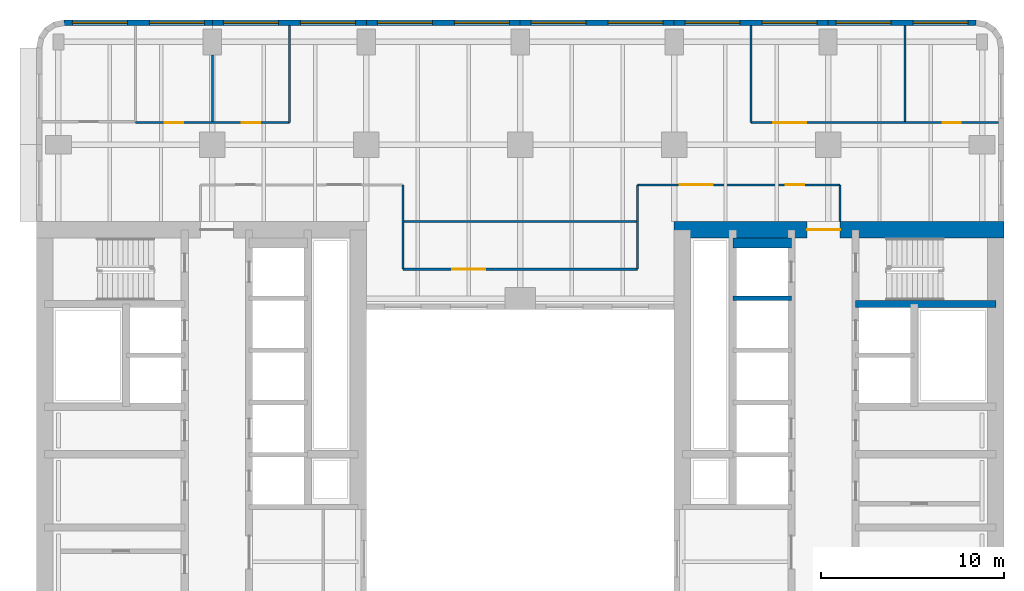
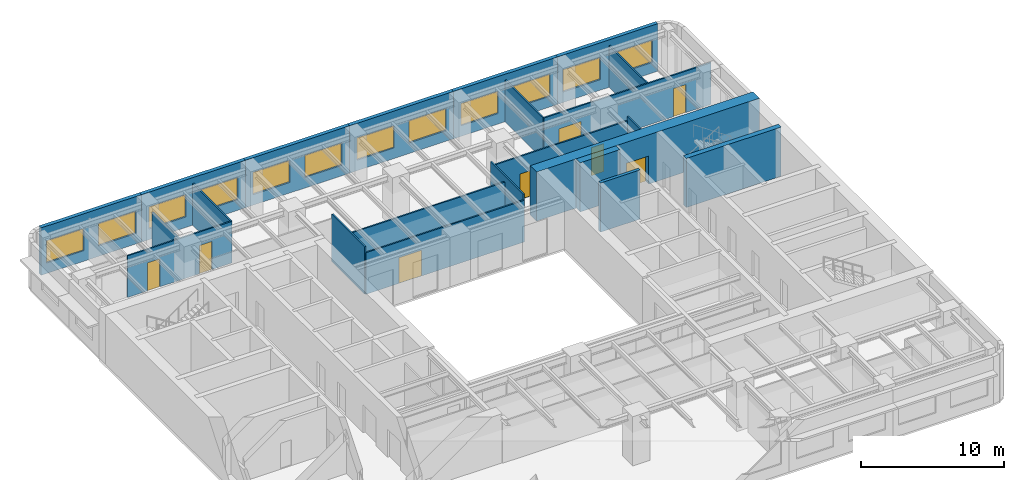
# One storey, part 7 of 11: 22 walls, 12 windows, 8 doors, 20 openings.
"""IFC4 building model written with IfcOpenShell, lengths in metres."""

from ifc_helpers import new_model, si_unit, direction, frame, frame_2d, origin, place, context, subcontext, project, spatial, rectangle, extrude, material, layer, layer_set, type_object, element, fill, save


model = new_model("IFC4")

# Units and contexts
model_context = context("Model", 3, precision=1e-05, world=origin(), true_north=direction((0.0, 1.0)))
body_context = subcontext(model_context, "Body", "Model", "MODEL_VIEW")
ifc_project = project(units=[si_unit("LENGTHUNIT", "METRE"), si_unit("AREAUNIT", "SQUARE_METRE"), si_unit("VOLUMEUNIT", "CUBIC_METRE"), si_unit("PLANEANGLEUNIT", "RADIAN"), si_unit("MASSUNIT", "GRAM", prefix="KILO")], contexts=[model_context])

# Site, building, storey
site_placement = place(None, origin())
site = spatial("IfcSite", under=ifc_project, at=site_placement, CompositionType="ELEMENT")
building_placement = place(site_placement, origin())
building = spatial("IfcBuilding", under=site, at=building_placement, Name="Claustro Exchange Tower", CompositionType="ELEMENT")
storey_placement = place(building_placement, frame((0.0, 0.0, 109.199951171875)))
storey = spatial("IfcBuildingStorey", under=building, at=storey_placement, Name="L24", CompositionType="ELEMENT", Elevation=109.199951171875)

# Wall, openings, doors
ifc_material_1 = material(Name="Laminated glass in aluminium frame", Category="aluminium")
ifc_layer_1 = layer(ifc_material_1, 0.1201171875)
ifc_layer_set_1 = layer_set([ifc_layer_1], Name="Laminated glass in aluminium frame")
wall_type_1 = type_object("IfcWallType", Name="P2 120 glazed partition", PredefinedType="PARTITIONING", material=ifc_layer_set_1)
wall_1_placement = place(storey_placement, frame((4.197998046875, 43.199951171875, 0.0), z_axis=(0.0, 0.0, 1.0), x_axis=(1.0, 0.0, 0.0)))
wall_1 = element("IfcWall", 1, at=wall_1_placement, inside=storey, type_object=wall_type_1, Name="Partition P2 L24", PredefinedType="PARTITIONING", context=body_context, shape_type="SweptSolid", body=[
    extrude(rectangle(XDim=8.402099609375, YDim=0.1201171875, at=frame_2d((4.201171875, 0.0))), origin(), (0.0, 0.0, 1.0), 3.550048828125),
])
opening_1_placement = place(wall_1_placement, frame((1.60205078125, 0.0, 0.0)))
opening_1 = element("IfcOpeningElement", 2, at=opening_1_placement, cuts=wall_1, Name="Opening D7", PredefinedType="OPENING", context=body_context, shape_type="SweptSolid", body=[
    extrude(rectangle(XDim=1.0, YDim=2.39990234375, at=frame_2d((0.5, 1.199951171875))), frame((0.0, 0.070068359375, 0.0), z_axis=(0.0, -1.0, 0.0), x_axis=(1.0, 0.0, 0.0)), (0.0, 0.0, 1.0), 0.14013671875),
])
opening_2_placement = place(wall_1_placement, frame((5.802001953125, 0.0, 0.0)))
opening_2 = element("IfcOpeningElement", 3, at=opening_2_placement, cuts=wall_1, Name="Opening D7", PredefinedType="OPENING", context=body_context, shape_type="SweptSolid", body=[
    extrude(rectangle(XDim=1.0, YDim=2.39990234375, at=frame_2d((0.5, 1.199951171875))), frame((0.0, 0.070068359375, 0.0), z_axis=(0.0, -1.0, 0.0), x_axis=(1.0, 0.0, 0.0)), (0.0, 0.0, 1.0), 0.14013671875),
])
ifc_material_2 = material(Name="Glass door in aluminium frame", Category="aluminium")
door_type_1 = type_object("IfcDoorType", Name="D7 1000 x 2400 glazed door", OperationType="SINGLE_SWING_LEFT", PredefinedType="DOOR", material=ifc_material_2)
door_1_placement = place(opening_1_placement, origin())
door_1 = element("IfcDoor", 4, at=door_1_placement, inside=storey, type_object=door_type_1, Name="Door D7 L24", OperationType="SINGLE_SWING_RIGHT", OverallHeight=2.39990234375, OverallWidth=1.0, PredefinedType="DOOR", context=body_context, shape_type="SweptSolid", body=[
    extrude(rectangle(XDim=1.0, YDim=2.39990234375, at=frame_2d((0.5, 1.199951171875))), frame((0.0, 0.02490234375, 0.0), z_axis=(0.0, -1.0, 0.0), x_axis=(1.0, 0.0, 0.0)), (0.0, 0.0, 1.0), 0.050048828125),
])
fill(opening_1, door_1)
door_2_placement = place(opening_2_placement, origin())
door_2 = element("IfcDoor", 5, at=door_2_placement, inside=storey, type_object=door_type_1, Name="Door D7 L24", OperationType="SINGLE_SWING_LEFT", OverallHeight=2.39990234375, OverallWidth=1.0, PredefinedType="DOOR", context=body_context, shape_type="SweptSolid", body=[
    extrude(rectangle(XDim=1.0, YDim=2.39990234375, at=frame_2d((0.5, 1.199951171875))), frame((0.0, 0.02490234375, 0.0), z_axis=(0.0, -1.0, 0.0), x_axis=(1.0, 0.0, 0.0)), (0.0, 0.0, 1.0), 0.050048828125),
])
fill(opening_2, door_2)

# Walls
wall_2_placement = place(storey_placement, frame((8.39990234375, 43.258056640625, 0.0), z_axis=(0.0, 0.0, 1.0), x_axis=(0.0, 1.0, 0.0)))
element("IfcWall", 6, at=wall_2_placement, inside=storey, type_object=wall_type_1, Name="Partition P2 L24", PredefinedType="PARTITIONING", context=body_context, shape_type="SweptSolid", body=[
    extrude(rectangle(XDim=3.642822265625, YDim=0.1201171875, at=frame_2d((1.8212890625, 0.0))), origin(), (0.0, 0.0, 1.0), 3.550048828125),
])
wall_3_placement = place(storey_placement, frame((12.60009765625, 43.199951171875, 0.0), z_axis=(0.0, 0.0, 1.0), x_axis=(0.0, 1.0, 0.0)))
element("IfcWall", 7, at=wall_3_placement, inside=storey, type_object=wall_type_1, Name="Partition P2 L24", PredefinedType="PARTITIONING", context=body_context, shape_type="SweptSolid", body=[
    extrude(rectangle(XDim=5.302001953125, YDim=0.1201171875, at=frame_2d((2.65087890625, 0.0))), origin(), (0.0, 0.0, 1.0), 3.56005859375),
])

# Wall, openings, doors
wall_4_placement = place(storey_placement, frame((37.800048828125, 43.199951171875, 0.0), z_axis=(0.0, 0.0, 1.0), x_axis=(1.0, 0.0, 0.0)))
wall_4 = element("IfcWall", 8, at=wall_4_placement, inside=storey, type_object=wall_type_1, Name="Partition P2 L24", PredefinedType="PARTITIONING", context=body_context, shape_type="SweptSolid", body=[
    extrude(rectangle(XDim=13.501953125, YDim=0.1201171875, at=frame_2d((6.7509765625, 0.0))), origin(), (0.0, 0.0, 1.0), 3.550048828125),
])
opening_3_placement = place(wall_4_placement, frame((1.199951171875, 0.0, 0.0)))
opening_3 = element("IfcOpeningElement", 9, at=opening_3_placement, cuts=wall_4, Name="Opening D2", PredefinedType="OPENING", context=body_context, shape_type="SweptSolid", body=[
    extrude(rectangle(XDim=1.800048828125, YDim=2.199951171875, at=frame_2d((0.89990234375, 1.10009765625))), frame((0.0, 0.070068359375, 0.0), z_axis=(0.0, -1.0, 0.0), x_axis=(1.0, 0.0, 0.0)), (0.0, 0.0, 1.0), 0.14013671875),
])
opening_4_placement = place(wall_4_placement, frame((10.449951171875, 0.0, 0.0)))
opening_4 = element("IfcOpeningElement", 10, at=opening_4_placement, cuts=wall_4, Name="Opening D7", PredefinedType="OPENING", context=body_context, shape_type="SweptSolid", body=[
    extrude(rectangle(XDim=1.0, YDim=2.39990234375, at=frame_2d((0.5, 1.199951171875))), frame((0.0, 0.070068359375, 0.0), z_axis=(0.0, -1.0, 0.0), x_axis=(1.0, 0.0, 0.0)), (0.0, 0.0, 1.0), 0.14013671875),
])
ifc_material_3 = material(Name="Timber door, oak veneer", Category="wood")
door_type_2 = type_object("IfcDoorType", Name="D2 1800 x 2200 double door", OperationType="DOUBLE_DOOR_SINGLE_SWING", PredefinedType="DOOR", material=ifc_material_3)
door_3_placement = place(opening_3_placement, origin())
door_3 = element("IfcDoor", 11, at=door_3_placement, inside=storey, type_object=door_type_2, Name="Double door D2 L24", OperationType="DOUBLE_DOOR_SINGLE_SWING", OverallHeight=2.199951171875, OverallWidth=1.800048828125, PredefinedType="DOOR", context=body_context, shape_type="SweptSolid", body=[
    extrude(rectangle(XDim=1.800048828125, YDim=2.199951171875, at=frame_2d((0.89990234375, 1.10009765625))), frame((0.0, 0.02490234375, 0.0), z_axis=(0.0, -1.0, 0.0), x_axis=(1.0, 0.0, 0.0)), (0.0, 0.0, 1.0), 0.050048828125),
])
fill(opening_3, door_3)
door_4_placement = place(opening_4_placement, origin())
door_4 = element("IfcDoor", 12, at=door_4_placement, inside=storey, type_object=door_type_1, Name="Door D7 L24", OperationType="SINGLE_SWING_LEFT", OverallHeight=2.39990234375, OverallWidth=1.0, PredefinedType="DOOR", context=body_context, shape_type="SweptSolid", body=[
    extrude(rectangle(XDim=1.0, YDim=2.39990234375, at=frame_2d((0.5, 1.199951171875))), frame((0.0, 0.02490234375, 0.0), z_axis=(0.0, -1.0, 0.0), x_axis=(1.0, 0.0, 0.0)), (0.0, 0.0, 1.0), 0.050048828125),
])
fill(opening_4, door_4)

# Walls
wall_5_placement = place(storey_placement, frame((37.800048828125, 43.199951171875, 0.0), z_axis=(0.0, 0.0, 1.0), x_axis=(0.0, 1.0, 0.0)))
element("IfcWall", 13, at=wall_5_placement, inside=storey, type_object=wall_type_1, Name="Partition P2 L24", PredefinedType="PARTITIONING", context=body_context, shape_type="SweptSolid", body=[
    extrude(rectangle(XDim=5.302001953125, YDim=0.1201171875, at=frame_2d((2.65087890625, 0.0))), origin(), (0.0, 0.0, 1.0), 3.56005859375),
])
wall_6_placement = place(storey_placement, frame((46.199951171875, 43.258056640625, 0.0), z_axis=(0.0, 0.0, 1.0), x_axis=(0.0, 1.0, 0.0)))
element("IfcWall", 14, at=wall_6_placement, inside=storey, type_object=wall_type_1, Name="Partition P2 L24", PredefinedType="PARTITIONING", context=body_context, shape_type="SweptSolid", body=[
    extrude(rectangle(XDim=5.243896484375, YDim=0.1201171875, at=frame_2d((2.6220703125, 0.0))), origin(), (0.0, 0.0, 1.0), 3.56005859375),
])

# Wall, openings, doors
wall_7_placement = place(storey_placement, frame((31.60009765625, 39.800048828125, 0.0), z_axis=(0.0, 0.0, 1.0), x_axis=(1.0, 0.0, 0.0)))
wall_7 = element("IfcWall", 15, at=wall_7_placement, inside=storey, type_object=wall_type_1, Name="Partition P2 L24", PredefinedType="PARTITIONING", context=body_context, shape_type="SweptSolid", body=[
    extrude(rectangle(XDim=11.0498046875, YDim=0.1201171875, at=frame_2d((5.52490234375, 0.0))), origin(), (0.0, 0.0, 1.0), 3.68994140625),
])
opening_5_placement = place(wall_7_placement, frame((2.300048828125, 0.0, 0.0)))
opening_5 = element("IfcOpeningElement", 16, at=opening_5_placement, cuts=wall_7, Name="Opening D2", PredefinedType="OPENING", context=body_context, shape_type="SweptSolid", body=[
    extrude(rectangle(XDim=1.800048828125, YDim=2.199951171875, at=frame_2d((0.89990234375, 1.10009765625))), frame((0.0, 0.070068359375, 0.0), z_axis=(0.0, -1.0, 0.0), x_axis=(1.0, 0.0, 0.0)), (0.0, 0.0, 1.0), 0.14013671875),
])
opening_6_placement = place(wall_7_placement, frame((8.10009765625, 0.0, 0.0)))
opening_6 = element("IfcOpeningElement", 17, at=opening_6_placement, cuts=wall_7, Name="Opening D7", PredefinedType="OPENING", context=body_context, shape_type="SweptSolid", body=[
    extrude(rectangle(XDim=1.0, YDim=2.39990234375, at=frame_2d((0.5, 1.199951171875))), frame((0.0, 0.070068359375, 0.0), z_axis=(0.0, -1.0, 0.0), x_axis=(1.0, 0.0, 0.0)), (0.0, 0.0, 1.0), 0.14013671875),
])
door_5_placement = place(opening_5_placement, origin())
door_5 = element("IfcDoor", 18, at=door_5_placement, inside=storey, type_object=door_type_2, Name="Double door D2 L24", OperationType="DOUBLE_DOOR_SINGLE_SWING", OverallHeight=2.199951171875, OverallWidth=1.800048828125, PredefinedType="DOOR", context=body_context, shape_type="SweptSolid", body=[
    extrude(rectangle(XDim=1.800048828125, YDim=2.199951171875, at=frame_2d((0.89990234375, 1.10009765625))), frame((0.0, 0.02490234375, 0.0), z_axis=(0.0, -1.0, 0.0), x_axis=(1.0, 0.0, 0.0)), (0.0, 0.0, 1.0), 0.050048828125),
])
fill(opening_5, door_5)
door_6_placement = place(opening_6_placement, origin())
door_6 = element("IfcDoor", 19, at=door_6_placement, inside=storey, type_object=door_type_1, Name="Door D7 L24", OperationType="SINGLE_SWING_RIGHT", OverallHeight=2.39990234375, OverallWidth=1.0, PredefinedType="DOOR", context=body_context, shape_type="SweptSolid", body=[
    extrude(rectangle(XDim=1.0, YDim=2.39990234375, at=frame_2d((0.5, 1.199951171875))), frame((0.0, 0.02490234375, 0.0), z_axis=(0.0, -1.0, 0.0), x_axis=(1.0, 0.0, 0.0)), (0.0, 0.0, 1.0), 0.050048828125),
])
fill(opening_6, door_6)

# Walls
wall_8_placement = place(storey_placement, frame((42.64990234375, 37.800048828125, 0.0), z_axis=(0.0, 0.0, 1.0), x_axis=(0.0, 1.0, 0.0)))
element("IfcWall", 20, at=wall_8_placement, inside=storey, type_object=wall_type_1, Name="Partition P2 L24", PredefinedType="PARTITIONING", context=body_context, shape_type="SweptSolid", body=[
    extrude(rectangle(XDim=2.0, YDim=0.1201171875, at=frame_2d((1.0, 0.0))), origin(), (0.0, 0.0, 1.0), 4.050048828125),
])
for number, where, z_axis, x_axis, name in (
    (21, (18.800048828125, 35.199951171875, 0.0), (0.0, 0.0, 1.0), (0.0, 1.0, 0.0), "Partition P2 L24"),
    (22, (31.60009765625, 35.199951171875, 0.0), (0.0, 0.0, 1.0), (0.0, 1.0, 0.0), "Partition P2 L24"),
):
    element("IfcWall", number, at=place(storey_placement, frame(where, z_axis=z_axis, x_axis=x_axis)), inside=storey, type_object=wall_type_1, Name=name, PredefinedType="PARTITIONING", context=body_context, shape_type="SweptSolid", body=[
        extrude(rectangle(XDim=4.60009765625, YDim=0.1201171875, at=frame_2d((2.300048828125, 0.0))), origin(), (0.0, 0.0, 1.0), 4.050048828125),
    ])

# Wall, opening, door
wall_9_placement = place(storey_placement, frame((18.800048828125, 35.199951171875, 0.0), z_axis=(0.0, 0.0, 1.0), x_axis=(1.0, 0.0, 0.0)))
wall_9 = element("IfcWall", 23, at=wall_9_placement, inside=storey, type_object=wall_type_1, Name="Partition P2 L24", PredefinedType="PARTITIONING", context=body_context, shape_type="SweptSolid", body=[
    extrude(rectangle(XDim=12.800048828125, YDim=0.1201171875, at=frame_2d((6.39990234375, 0.0))), origin(), (0.0, 0.0, 1.0), 3.550048828125),
])
opening_7_placement = place(wall_9_placement, frame((2.699951171875, 0.0, 0.0)))
opening_7 = element("IfcOpeningElement", 24, at=opening_7_placement, cuts=wall_9, Name="Opening D2", PredefinedType="OPENING", context=body_context, shape_type="SweptSolid", body=[
    extrude(rectangle(XDim=1.800048828125, YDim=2.199951171875, at=frame_2d((0.89990234375, 1.10009765625))), frame((0.0, 0.070068359375, 0.0), z_axis=(0.0, -1.0, 0.0), x_axis=(1.0, 0.0, 0.0)), (0.0, 0.0, 1.0), 0.14013671875),
])
door_7_placement = place(opening_7_placement, origin())
door_7 = element("IfcDoor", 25, at=door_7_placement, inside=storey, type_object=door_type_2, Name="Double door D2 L24", OperationType="DOUBLE_DOOR_SINGLE_SWING", OverallHeight=2.199951171875, OverallWidth=1.800048828125, PredefinedType="DOOR", context=body_context, shape_type="SweptSolid", body=[
    extrude(rectangle(XDim=1.800048828125, YDim=2.199951171875, at=frame_2d((0.89990234375, 1.10009765625))), frame((0.0, 0.02490234375, 0.0), z_axis=(0.0, -1.0, 0.0), x_axis=(1.0, 0.0, 0.0)), (0.0, 0.0, 1.0), 0.050048828125),
])
fill(opening_7, door_7)

# Wall
wall_10_placement = place(storey_placement, frame((18.85791015625, 37.800048828125, 0.0), z_axis=(0.0, 0.0, 1.0), x_axis=(1.0, 0.0, 0.0)))
element("IfcWall", 26, at=wall_10_placement, inside=storey, type_object=wall_type_1, Name="Partition P2 L24", PredefinedType="PARTITIONING", context=body_context, shape_type="SweptSolid", body=[
    extrude(rectangle(XDim=12.68408203125, YDim=0.1201171875, at=frame_2d((6.342041015625, 0.0))), origin(), (0.0, 0.0, 1.0), 3.550048828125),
])

# Wall, openings, windows
ifc_material_4 = material(Name="Concrete HA-40 (C40/50), precast, white cement, acid-etched", Category="concrete")
ifc_layer_2 = layer(ifc_material_4, 0.300048828125)
ifc_layer_set_2 = layer_set([ifc_layer_2], Name="Concrete HA-40 (C40/50), precast, white cement, acid-etched")
wall_type_2 = type_object("IfcWallType", Name="PC1 300 precast concrete pier panel", PredefinedType="SOLIDWALL", material=ifc_layer_set_2)
wall_11_placement = place(storey_placement, frame((0.314697265625, 48.64990234375, 0.0), z_axis=(0.0, 0.0, 1.0), x_axis=(1.0, 0.0, 0.0)))
wall_11 = element("IfcWall", 27, at=wall_11_placement, inside=storey, type_object=wall_type_2, Name="Precast pier panel PC1 L24", PredefinedType="SOLIDWALL", context=body_context, shape_type="SweptSolid", body=[
    extrude(rectangle(XDim=8.085205078125, YDim=0.300048828125, at=frame_2d((4.04248046875, 0.0))), origin(), (0.0, 0.0, 1.0), 4.050048828125),
])
opening_8_placement = place(wall_11_placement, frame((0.442626953125, 0.0, 0.89990234375)))
opening_8 = element("IfcOpeningElement", 28, at=opening_8_placement, cuts=wall_11, Name="Opening W1", PredefinedType="OPENING", context=body_context, shape_type="SweptSolid", body=[
    extrude(rectangle(XDim=3.0, YDim=1.89990234375, at=frame_2d((1.5, 0.949951171875))), frame((0.0, 0.159912109375, 0.0), z_axis=(0.0, -1.0, 0.0), x_axis=(1.0, 0.0, 0.0)), (0.0, 0.0, 1.0), 0.320068359375),
])
opening_9_placement = place(wall_11_placement, frame((4.642578125, 0.0, 0.89990234375)))
opening_9 = element("IfcOpeningElement", 29, at=opening_9_placement, cuts=wall_11, Name="Opening W1", PredefinedType="OPENING", context=body_context, shape_type="SweptSolid", body=[
    extrude(rectangle(XDim=3.0, YDim=1.89990234375, at=frame_2d((1.5, 0.949951171875))), frame((0.0, 0.159912109375, 0.0), z_axis=(0.0, -1.0, 0.0), x_axis=(1.0, 0.0, 0.0)), (0.0, 0.0, 1.0), 0.320068359375),
])
ifc_material_5 = material(Name="Aluminium frame, clear double glazing", Category="aluminium")
window_type = type_object("IfcWindowType", Name="W1 3000 x 1900 window", PartitioningType="SINGLE_PANEL", PredefinedType="WINDOW", material=ifc_material_5)
window_1_placement = place(opening_8_placement, origin())
window_1 = element("IfcWindow", 30, at=window_1_placement, inside=storey, type_object=window_type, Name="Window W1 L24", OverallHeight=1.89990234375, OverallWidth=3.0, PartitioningType="SINGLE_PANEL", PredefinedType="WINDOW", context=body_context, shape_type="SweptSolid", body=[
    extrude(rectangle(XDim=3.0, YDim=1.89990234375, at=frame_2d((1.5, 0.949951171875))), frame((0.0, 0.030029296875, 0.0), z_axis=(0.0, -1.0, 0.0), x_axis=(1.0, 0.0, 0.0)), (0.0, 0.0, 1.0), 0.06005859375),
])
fill(opening_8, window_1)
window_2_placement = place(opening_9_placement, origin())
window_2 = element("IfcWindow", 31, at=window_2_placement, inside=storey, type_object=window_type, Name="Window W1 L24", OverallHeight=1.89990234375, OverallWidth=3.0, PartitioningType="SINGLE_PANEL", PredefinedType="WINDOW", context=body_context, shape_type="SweptSolid", body=[
    extrude(rectangle(XDim=3.0, YDim=1.89990234375, at=frame_2d((1.5, 0.949951171875))), frame((0.0, 0.030029296875, 0.0), z_axis=(0.0, -1.0, 0.0), x_axis=(1.0, 0.0, 0.0)), (0.0, 0.0, 1.0), 0.06005859375),
])
fill(opening_9, window_2)

wall_12_placement = place(storey_placement, frame((8.39990234375, 48.64990234375, 0.0), z_axis=(0.0, 0.0, 1.0), x_axis=(1.0, 0.0, 0.0)))
wall_12 = element("IfcWall", 32, at=wall_12_placement, inside=storey, type_object=wall_type_2, Name="Precast pier panel PC1 L24", PredefinedType="SOLIDWALL", context=body_context, shape_type="SweptSolid", body=[
    extrude(rectangle(XDim=8.400146484375, YDim=0.300048828125, at=frame_2d((4.2001953125, 0.0))), origin(), (0.0, 0.0, 1.0), 4.050048828125),
])
opening_10_placement = place(wall_12_placement, frame((0.60009765625, 0.0, 0.89990234375)))
opening_10 = element("IfcOpeningElement", 33, at=opening_10_placement, cuts=wall_12, Name="Opening W1", PredefinedType="OPENING", context=body_context, shape_type="SweptSolid", body=[
    extrude(rectangle(XDim=3.0, YDim=1.89990234375, at=frame_2d((1.5, 0.949951171875))), frame((0.0, 0.159912109375, 0.0), z_axis=(0.0, -1.0, 0.0), x_axis=(1.0, 0.0, 0.0)), (0.0, 0.0, 1.0), 0.320068359375),
])
opening_11_placement = place(wall_12_placement, frame((4.800048828125, 0.0, 0.89990234375)))
opening_11 = element("IfcOpeningElement", 34, at=opening_11_placement, cuts=wall_12, Name="Opening W1", PredefinedType="OPENING", context=body_context, shape_type="SweptSolid", body=[
    extrude(rectangle(XDim=3.0, YDim=1.89990234375, at=frame_2d((1.5, 0.949951171875))), frame((0.0, 0.159912109375, 0.0), z_axis=(0.0, -1.0, 0.0), x_axis=(1.0, 0.0, 0.0)), (0.0, 0.0, 1.0), 0.320068359375),
])
window_3_placement = place(opening_10_placement, origin())
window_3 = element("IfcWindow", 35, at=window_3_placement, inside=storey, type_object=window_type, Name="Window W1 L24", OverallHeight=1.89990234375, OverallWidth=3.0, PartitioningType="SINGLE_PANEL", PredefinedType="WINDOW", context=body_context, shape_type="SweptSolid", body=[
    extrude(rectangle(XDim=3.0, YDim=1.89990234375, at=frame_2d((1.5, 0.949951171875))), frame((0.0, 0.030029296875, 0.0), z_axis=(0.0, -1.0, 0.0), x_axis=(1.0, 0.0, 0.0)), (0.0, 0.0, 1.0), 0.06005859375),
])
fill(opening_10, window_3)
window_4_placement = place(opening_11_placement, origin())
window_4 = element("IfcWindow", 36, at=window_4_placement, inside=storey, type_object=window_type, Name="Window W1 L24", OverallHeight=1.89990234375, OverallWidth=3.0, PartitioningType="SINGLE_PANEL", PredefinedType="WINDOW", context=body_context, shape_type="SweptSolid", body=[
    extrude(rectangle(XDim=3.0, YDim=1.89990234375, at=frame_2d((1.5, 0.949951171875))), frame((0.0, 0.030029296875, 0.0), z_axis=(0.0, -1.0, 0.0), x_axis=(1.0, 0.0, 0.0)), (0.0, 0.0, 1.0), 0.06005859375),
])
fill(opening_11, window_4)

wall_13_placement = place(storey_placement, frame((16.800048828125, 48.64990234375, 0.0), z_axis=(0.0, 0.0, 1.0), x_axis=(1.0, 0.0, 0.0)))
wall_13 = element("IfcWall", 37, at=wall_13_placement, inside=storey, type_object=wall_type_2, Name="Precast pier panel PC1 L24", PredefinedType="SOLIDWALL", context=body_context, shape_type="SweptSolid", body=[
    extrude(rectangle(XDim=8.39990234375, YDim=0.300048828125, at=frame_2d((4.199951171875, 0.0))), origin(), (0.0, 0.0, 1.0), 4.050048828125),
])
opening_12_placement = place(wall_13_placement, frame((0.60009765625, 0.0, 0.89990234375)))
opening_12 = element("IfcOpeningElement", 38, at=opening_12_placement, cuts=wall_13, Name="Opening W1", PredefinedType="OPENING", context=body_context, shape_type="SweptSolid", body=[
    extrude(rectangle(XDim=3.0, YDim=1.89990234375, at=frame_2d((1.5, 0.949951171875))), frame((0.0, 0.159912109375, 0.0), z_axis=(0.0, -1.0, 0.0), x_axis=(1.0, 0.0, 0.0)), (0.0, 0.0, 1.0), 0.320068359375),
])
opening_13_placement = place(wall_13_placement, frame((4.800048828125, 0.0, 0.89990234375)))
opening_13 = element("IfcOpeningElement", 39, at=opening_13_placement, cuts=wall_13, Name="Opening W1", PredefinedType="OPENING", context=body_context, shape_type="SweptSolid", body=[
    extrude(rectangle(XDim=3.0, YDim=1.89990234375, at=frame_2d((1.5, 0.949951171875))), frame((0.0, 0.159912109375, 0.0), z_axis=(0.0, -1.0, 0.0), x_axis=(1.0, 0.0, 0.0)), (0.0, 0.0, 1.0), 0.320068359375),
])
window_5_placement = place(opening_12_placement, origin())
window_5 = element("IfcWindow", 40, at=window_5_placement, inside=storey, type_object=window_type, Name="Window W1 L24", OverallHeight=1.89990234375, OverallWidth=3.0, PartitioningType="SINGLE_PANEL", PredefinedType="WINDOW", context=body_context, shape_type="SweptSolid", body=[
    extrude(rectangle(XDim=3.0, YDim=1.89990234375, at=frame_2d((1.5, 0.949951171875))), frame((0.0, 0.030029296875, 0.0), z_axis=(0.0, -1.0, 0.0), x_axis=(1.0, 0.0, 0.0)), (0.0, 0.0, 1.0), 0.06005859375),
])
fill(opening_12, window_5)
window_6_placement = place(opening_13_placement, origin())
window_6 = element("IfcWindow", 41, at=window_6_placement, inside=storey, type_object=window_type, Name="Window W1 L24", OverallHeight=1.89990234375, OverallWidth=3.0, PartitioningType="SINGLE_PANEL", PredefinedType="WINDOW", context=body_context, shape_type="SweptSolid", body=[
    extrude(rectangle(XDim=3.0, YDim=1.89990234375, at=frame_2d((1.5, 0.949951171875))), frame((0.0, 0.030029296875, 0.0), z_axis=(0.0, -1.0, 0.0), x_axis=(1.0, 0.0, 0.0)), (0.0, 0.0, 1.0), 0.06005859375),
])
fill(opening_13, window_6)

wall_14_placement = place(storey_placement, frame((25.199951171875, 48.64990234375, 0.0), z_axis=(0.0, 0.0, 1.0), x_axis=(1.0, 0.0, 0.0)))
wall_14 = element("IfcWall", 42, at=wall_14_placement, inside=storey, type_object=wall_type_2, Name="Precast pier panel PC1 L24", PredefinedType="SOLIDWALL", context=body_context, shape_type="SweptSolid", body=[
    extrude(rectangle(XDim=8.400146484375, YDim=0.300048828125, at=frame_2d((4.2001953125, 0.0))), origin(), (0.0, 0.0, 1.0), 4.050048828125),
])
opening_14_placement = place(wall_14_placement, frame((0.60009765625, 0.0, 0.89990234375)))
opening_14 = element("IfcOpeningElement", 43, at=opening_14_placement, cuts=wall_14, Name="Opening W1", PredefinedType="OPENING", context=body_context, shape_type="SweptSolid", body=[
    extrude(rectangle(XDim=3.0, YDim=1.89990234375, at=frame_2d((1.5, 0.949951171875))), frame((0.0, 0.159912109375, 0.0), z_axis=(0.0, -1.0, 0.0), x_axis=(1.0, 0.0, 0.0)), (0.0, 0.0, 1.0), 0.320068359375),
])
opening_15_placement = place(wall_14_placement, frame((4.800048828125, 0.0, 0.89990234375)))
opening_15 = element("IfcOpeningElement", 44, at=opening_15_placement, cuts=wall_14, Name="Opening W1", PredefinedType="OPENING", context=body_context, shape_type="SweptSolid", body=[
    extrude(rectangle(XDim=3.0, YDim=1.89990234375, at=frame_2d((1.5, 0.949951171875))), frame((0.0, 0.159912109375, 0.0), z_axis=(0.0, -1.0, 0.0), x_axis=(1.0, 0.0, 0.0)), (0.0, 0.0, 1.0), 0.320068359375),
])
window_7_placement = place(opening_14_placement, origin())
window_7 = element("IfcWindow", 45, at=window_7_placement, inside=storey, type_object=window_type, Name="Window W1 L24", OverallHeight=1.89990234375, OverallWidth=3.0, PartitioningType="SINGLE_PANEL", PredefinedType="WINDOW", context=body_context, shape_type="SweptSolid", body=[
    extrude(rectangle(XDim=3.0, YDim=1.89990234375, at=frame_2d((1.5, 0.949951171875))), frame((0.0, 0.030029296875, 0.0), z_axis=(0.0, -1.0, 0.0), x_axis=(1.0, 0.0, 0.0)), (0.0, 0.0, 1.0), 0.06005859375),
])
fill(opening_14, window_7)
window_8_placement = place(opening_15_placement, origin())
window_8 = element("IfcWindow", 46, at=window_8_placement, inside=storey, type_object=window_type, Name="Window W1 L24", OverallHeight=1.89990234375, OverallWidth=3.0, PartitioningType="SINGLE_PANEL", PredefinedType="WINDOW", context=body_context, shape_type="SweptSolid", body=[
    extrude(rectangle(XDim=3.0, YDim=1.89990234375, at=frame_2d((1.5, 0.949951171875))), frame((0.0, 0.030029296875, 0.0), z_axis=(0.0, -1.0, 0.0), x_axis=(1.0, 0.0, 0.0)), (0.0, 0.0, 1.0), 0.06005859375),
])
fill(opening_15, window_8)

wall_15_placement = place(storey_placement, frame((33.60009765625, 48.64990234375, 0.0), z_axis=(0.0, 0.0, 1.0), x_axis=(1.0, 0.0, 0.0)))
wall_15 = element("IfcWall", 47, at=wall_15_placement, inside=storey, type_object=wall_type_2, Name="Precast pier panel PC1 L24", PredefinedType="SOLIDWALL", context=body_context, shape_type="SweptSolid", body=[
    extrude(rectangle(XDim=8.39990234375, YDim=0.300048828125, at=frame_2d((4.199951171875, 0.0))), origin(), (0.0, 0.0, 1.0), 4.050048828125),
])
opening_16_placement = place(wall_15_placement, frame((0.60009765625, 0.0, 0.89990234375)))
opening_16 = element("IfcOpeningElement", 48, at=opening_16_placement, cuts=wall_15, Name="Opening W1", PredefinedType="OPENING", context=body_context, shape_type="SweptSolid", body=[
    extrude(rectangle(XDim=3.0, YDim=1.89990234375, at=frame_2d((1.5, 0.949951171875))), frame((0.0, 0.159912109375, 0.0), z_axis=(0.0, -1.0, 0.0), x_axis=(1.0, 0.0, 0.0)), (0.0, 0.0, 1.0), 0.320068359375),
])
opening_17_placement = place(wall_15_placement, frame((4.800048828125, 0.0, 0.89990234375)))
opening_17 = element("IfcOpeningElement", 49, at=opening_17_placement, cuts=wall_15, Name="Opening W1", PredefinedType="OPENING", context=body_context, shape_type="SweptSolid", body=[
    extrude(rectangle(XDim=3.0, YDim=1.89990234375, at=frame_2d((1.5, 0.949951171875))), frame((0.0, 0.159912109375, 0.0), z_axis=(0.0, -1.0, 0.0), x_axis=(1.0, 0.0, 0.0)), (0.0, 0.0, 1.0), 0.320068359375),
])
window_9_placement = place(opening_16_placement, origin())
window_9 = element("IfcWindow", 50, at=window_9_placement, inside=storey, type_object=window_type, Name="Window W1 L24", OverallHeight=1.89990234375, OverallWidth=3.0, PartitioningType="SINGLE_PANEL", PredefinedType="WINDOW", context=body_context, shape_type="SweptSolid", body=[
    extrude(rectangle(XDim=3.0, YDim=1.89990234375, at=frame_2d((1.5, 0.949951171875))), frame((0.0, 0.030029296875, 0.0), z_axis=(0.0, -1.0, 0.0), x_axis=(1.0, 0.0, 0.0)), (0.0, 0.0, 1.0), 0.06005859375),
])
fill(opening_16, window_9)
window_10_placement = place(opening_17_placement, origin())
window_10 = element("IfcWindow", 51, at=window_10_placement, inside=storey, type_object=window_type, Name="Window W1 L24", OverallHeight=1.89990234375, OverallWidth=3.0, PartitioningType="SINGLE_PANEL", PredefinedType="WINDOW", context=body_context, shape_type="SweptSolid", body=[
    extrude(rectangle(XDim=3.0, YDim=1.89990234375, at=frame_2d((1.5, 0.949951171875))), frame((0.0, 0.030029296875, 0.0), z_axis=(0.0, -1.0, 0.0), x_axis=(1.0, 0.0, 0.0)), (0.0, 0.0, 1.0), 0.06005859375),
])
fill(opening_17, window_10)

wall_16_placement = place(storey_placement, frame((42.0, 48.64990234375, 0.0), z_axis=(0.0, 0.0, 1.0), x_axis=(1.0, 0.0, 0.0)))
wall_16 = element("IfcWall", 52, at=wall_16_placement, inside=storey, type_object=wall_type_2, Name="Precast pier panel PC1 L24", PredefinedType="SOLIDWALL", context=body_context, shape_type="SweptSolid", body=[
    extrude(rectangle(XDim=8.085205078125, YDim=0.300048828125, at=frame_2d((4.04248046875, 0.0))), origin(), (0.0, 0.0, 1.0), 4.050048828125),
])
opening_18_placement = place(wall_16_placement, frame((0.442626953125, 0.0, 0.89990234375)))
opening_18 = element("IfcOpeningElement", 53, at=opening_18_placement, cuts=wall_16, Name="Opening W1", PredefinedType="OPENING", context=body_context, shape_type="SweptSolid", body=[
    extrude(rectangle(XDim=3.0, YDim=1.89990234375, at=frame_2d((1.5, 0.949951171875))), frame((0.0, 0.159912109375, 0.0), z_axis=(0.0, -1.0, 0.0), x_axis=(1.0, 0.0, 0.0)), (0.0, 0.0, 1.0), 0.320068359375),
])
opening_19_placement = place(wall_16_placement, frame((4.642578125, 0.0, 0.89990234375)))
opening_19 = element("IfcOpeningElement", 54, at=opening_19_placement, cuts=wall_16, Name="Opening W1", PredefinedType="OPENING", context=body_context, shape_type="SweptSolid", body=[
    extrude(rectangle(XDim=3.0, YDim=1.89990234375, at=frame_2d((1.5, 0.949951171875))), frame((0.0, 0.159912109375, 0.0), z_axis=(0.0, -1.0, 0.0), x_axis=(1.0, 0.0, 0.0)), (0.0, 0.0, 1.0), 0.320068359375),
])
window_11_placement = place(opening_18_placement, origin())
window_11 = element("IfcWindow", 55, at=window_11_placement, inside=storey, type_object=window_type, Name="Window W1 L24", OverallHeight=1.89990234375, OverallWidth=3.0, PartitioningType="SINGLE_PANEL", PredefinedType="WINDOW", context=body_context, shape_type="SweptSolid", body=[
    extrude(rectangle(XDim=3.0, YDim=1.89990234375, at=frame_2d((1.5, 0.949951171875))), frame((0.0, 0.030029296875, 0.0), z_axis=(0.0, -1.0, 0.0), x_axis=(1.0, 0.0, 0.0)), (0.0, 0.0, 1.0), 0.06005859375),
])
fill(opening_18, window_11)
window_12_placement = place(opening_19_placement, origin())
window_12 = element("IfcWindow", 56, at=window_12_placement, inside=storey, type_object=window_type, Name="Window W1 L24", OverallHeight=1.89990234375, OverallWidth=3.0, PartitioningType="SINGLE_PANEL", PredefinedType="WINDOW", context=body_context, shape_type="SweptSolid", body=[
    extrude(rectangle(XDim=3.0, YDim=1.89990234375, at=frame_2d((1.5, 0.949951171875))), frame((0.0, 0.030029296875, 0.0), z_axis=(0.0, -1.0, 0.0), x_axis=(1.0, 0.0, 0.0)), (0.0, 0.0, 1.0), 0.06005859375),
])
fill(opening_19, window_12)

# Wall, opening, door
ifc_material_6 = material(Name="Concrete HA-70 (C70/85)", Category="concrete")
ifc_layer_3 = layer(ifc_material_6, 0.89990234375)
ifc_layer_set_3 = layer_set([ifc_layer_3], Name="Concrete HA-70 (C70/85)")
wall_type_3 = type_object("IfcWallType", Name="SW1 900 core shear wall", PredefinedType="SHEAR", material=ifc_layer_set_3)
wall_17_placement = place(storey_placement, frame((33.60009765625, 37.35009765625, 0.0), z_axis=(0.0, 0.0, 1.0), x_axis=(1.0, 0.0, 0.0)))
wall_17 = element("IfcWall", 57, at=wall_17_placement, inside=storey, type_object=wall_type_3, Name="Core wall SW1 E core N face L24", PredefinedType="SHEAR", context=body_context, shape_type="SweptSolid", body=[
    extrude(rectangle(XDim=18.0, YDim=0.89990234375, at=frame_2d((9.0, 0.0))), origin(), (0.0, 0.0, 1.0), 4.199951171875),
])
opening_20_placement = place(wall_17_placement, frame((7.25, 0.0, 0.0)))
opening_20 = element("IfcOpeningElement", 58, at=opening_20_placement, cuts=wall_17, Name="Opening D3", PredefinedType="OPENING", context=body_context, shape_type="SweptSolid", body=[
    extrude(rectangle(XDim=1.800048828125, YDim=2.39990234375, at=frame_2d((0.89990234375, 1.199951171875))), frame((0.0, 0.4599609375, 0.0), z_axis=(0.0, -1.0, 0.0), x_axis=(1.0, 0.0, 0.0)), (0.0, 0.0, 1.0), 0.919921875),
])
ifc_material_7 = material(Name="Steel fire door, painted", Category="steel")
door_type_3 = type_object("IfcDoorType", Name="D3 1800 x 2400 fire-rated lobby double door", OperationType="DOUBLE_DOOR_SINGLE_SWING", PredefinedType="DOOR", material=ifc_material_7)
door_8_placement = place(opening_20_placement, frame((1.800048828125, 0.0, 0.0), z_axis=(0.0, 0.0, 1.0), x_axis=(-1.0, 0.0, 0.0)))
door_8 = element("IfcDoor", 59, at=door_8_placement, inside=storey, type_object=door_type_3, Name="Lift lobby door D3 L24", OperationType="DOUBLE_DOOR_SINGLE_SWING", OverallHeight=2.39990234375, OverallWidth=1.800048828125, PredefinedType="DOOR", context=body_context, shape_type="SweptSolid", body=[
    extrude(rectangle(XDim=1.800048828125, YDim=2.39990234375, at=frame_2d((0.89990234375, 1.199951171875))), frame((0.0, 0.02490234375, 0.0), z_axis=(0.0, -1.0, 0.0), x_axis=(1.0, 0.0, 0.0)), (0.0, 0.0, 1.0), 0.050048828125),
])
fill(opening_20, door_8)

# Walls
ifc_material_8 = material(Name="Concrete HA-50 (C50/60)", Category="concrete")
ifc_layer_4 = layer(ifc_material_8, 0.39990234375)
ifc_layer_set_4 = layer_set([ifc_layer_4], Name="Concrete HA-50 (C50/60)")
wall_type_4 = type_object("IfcWallType", Name="SW4 400 internal core wall", PredefinedType="SHEAR", material=ifc_layer_set_4)
wall_18_placement = place(storey_placement, frame((51.14990234375, 33.300048828125, 0.0), z_axis=(0.0, 0.0, 1.0), x_axis=(-1.0, 0.0, 0.0)))
element("IfcWall", 60, at=wall_18_placement, inside=storey, type_object=wall_type_4, Name="Internal core wall SW4 E core L24", PredefinedType="SHEAR", context=body_context, shape_type="SweptSolid", body=[
    extrude(rectangle(XDim=7.64990234375, YDim=0.39990234375, at=frame_2d((3.824951171875, 0.0))), origin(), (0.0, 0.0, 1.0), 4.199951171875),
])
ifc_material_9 = material(Name="Concrete HA-50 (C50/60)", Category="concrete")
ifc_layer_5 = layer(ifc_material_9, 0.25)
ifc_layer_set_5 = layer_set([ifc_layer_5], Name="Concrete HA-50 (C50/60)")
wall_type_5 = type_object("IfcWallType", Name="SW5 250 lift shaft divider wall", PredefinedType="SHEAR", material=ifc_layer_set_5)
wall_19_placement = place(storey_placement, frame((40.0, 33.625, 0.0), z_axis=(0.0, 0.0, 1.0), x_axis=(-1.0, 0.0, 0.0)))
element("IfcWall", 61, at=wall_19_placement, inside=storey, type_object=wall_type_5, Name="Lift shaft wall E core L24", PredefinedType="SHEAR", context=body_context, shape_type="SweptSolid", body=[
    extrude(rectangle(XDim=3.199951171875, YDim=0.25, at=frame_2d((1.60009765625, 0.0))), origin(), (0.0, 0.0, 1.0), 4.199951171875),
])
ifc_material_10 = material(Name="Concrete HA-50 (C50/60)", Category="concrete")
ifc_layer_6 = layer(ifc_material_10, 0.550048828125)
ifc_layer_set_6 = layer_set([ifc_layer_6], Name="Concrete HA-50 (C50/60)")
wall_type_6 = type_object("IfcWallType", Name="SW6 550 lift shaft end wall", PredefinedType="SHEAR", material=ifc_layer_set_6)
wall_20_placement = place(storey_placement, frame((40.0, 36.625, 0.0), z_axis=(0.0, 0.0, 1.0), x_axis=(-1.0, 0.0, 0.0)))
element("IfcWall", 62, at=wall_20_placement, inside=storey, type_object=wall_type_6, Name="Lift shaft wall E core L24", PredefinedType="SHEAR", context=body_context, shape_type="SweptSolid", body=[
    extrude(rectangle(XDim=3.199951171875, YDim=0.550048828125, at=frame_2d((1.60009765625, 0.0))), origin(), (0.0, 0.0, 1.0), 4.199951171875),
])

save(model, "model.ifc")
